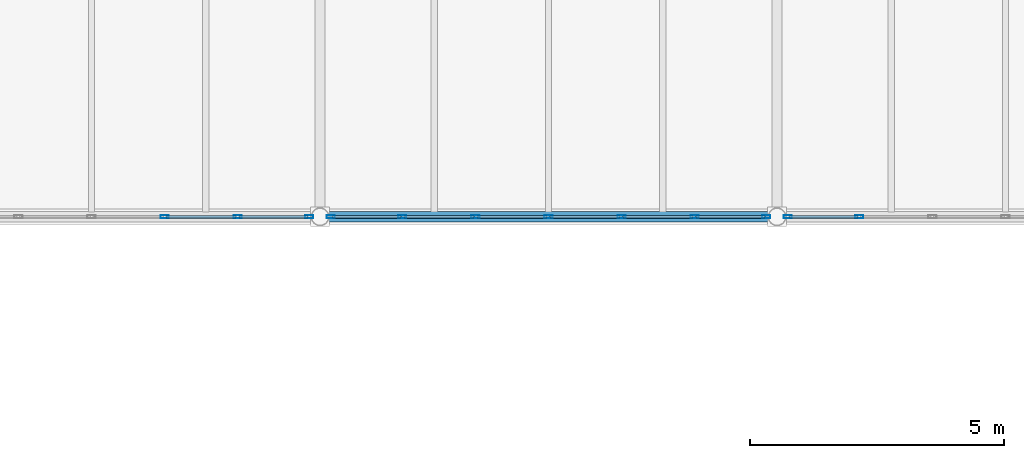
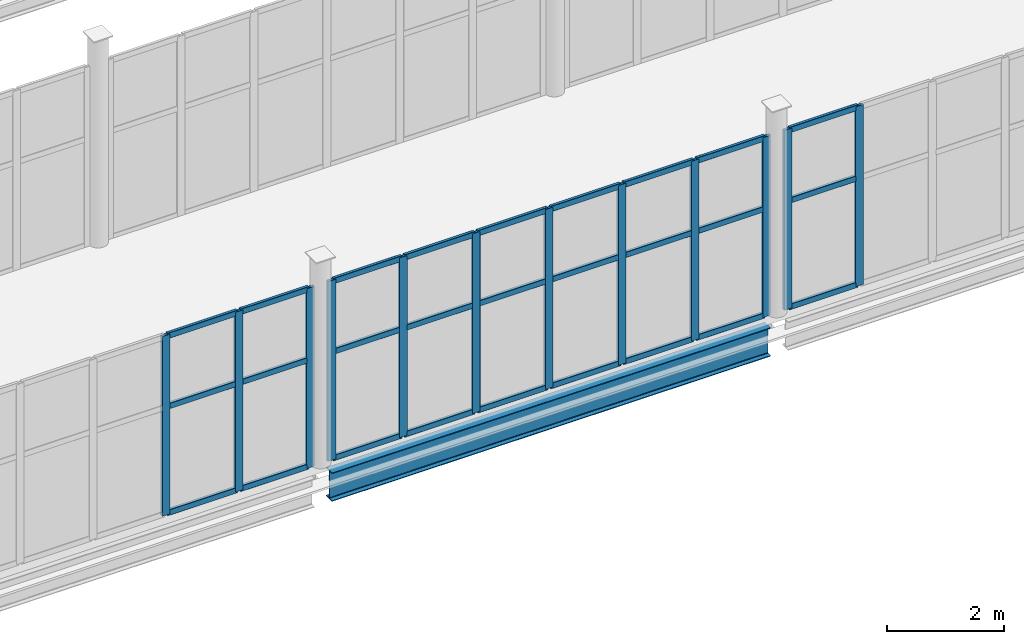
# One storey, part 101 of 172: 39 members, 1 beam, 3 elements without a shape of their own.
"""IFC4 building model written with IfcOpenShell, lengths in metres."""

from ifc_helpers import new_model, si_unit, direction, frame, origin, origin_2d, place, context, subcontext, project, spatial, hollow_rectangle, i_section, extrude, material, material_profile, profile_set, type_object, element, aggregate, save


model = new_model("IFC4")

# Units and contexts
model_context = context("Model", 3, precision=1e-05, world=origin(), true_north=direction((0.0, 1.0)))
body_context = subcontext(model_context, "Body", "Model", "MODEL_VIEW")
ifc_project = project(units=[si_unit("LENGTHUNIT", "METRE"), si_unit("AREAUNIT", "SQUARE_METRE"), si_unit("VOLUMEUNIT", "CUBIC_METRE"), si_unit("PLANEANGLEUNIT", "RADIAN"), si_unit("MASSUNIT", "GRAM", prefix="KILO")], contexts=[model_context])

# Site, building, storey
site_placement = place(None, origin())
site = spatial("IfcSite", under=ifc_project, at=site_placement, CompositionType="ELEMENT")
building_placement = place(site_placement, origin())
building = spatial("IfcBuilding", under=site, at=building_placement, Name="Shengluoqiao Park Theatre", CompositionType="ELEMENT")
storey_placement = place(building_placement, frame((0.0, 0.0, 5.39990234375)))
storey = spatial("IfcBuildingStorey", under=building, at=storey_placement, Name="L01", CompositionType="ELEMENT", Elevation=5.39990234375)

# Curtain wall, members
ifc_material_1 = material(Name="Aluminium 6063-T6", Category="aluminium")
curtain_wall_type = type_object("IfcCurtainWallType", Name="ENV-CW-BRIDGE", PredefinedType="NOTDEFINED", material=ifc_material_1)
curtain_wall_1_placement = place(storey_placement, origin())
curtain_wall_1 = element("IfcCurtainWall", 1, at=curtain_wall_1_placement, inside=storey, type_object=curtain_wall_type, Name="L01 Curtain Wall CWX-L01-0132", PredefinedType="NOTDEFINED")
ifc_material_profile_1 = material_profile(ifc_material_1, hollow_rectangle(XDim=0.06005859375, YDim=0.159912109375, WallThickness=0.00390625, InnerFilletRadius=0.00390625, OuterFilletRadius=0.008056640625, at=origin_2d()), Name="ALU MULLION 160x60x4")
ifc_profile_set_1 = profile_set([ifc_material_profile_1], Name="Aluminium 6063-T6")
member_type_1 = type_object("IfcMemberType", Name="ENV-MUL-160", PredefinedType="MULLION", material=ifc_profile_set_1)
member_1_placement = place(storey_placement, frame((127.33935546875, 53.199951171875, 0.0), z_axis=(0.0, 0.0, 1.0), x_axis=(0.0, 1.0, 0.0)))
member_1 = element("IfcMember", 2, at=member_1_placement, type_object=member_type_1, Name="CW-03 mullion 5", PredefinedType="MULLION", context=body_context, shape_type="SweptSolid", body=[
    extrude(hollow_rectangle(XDim=0.06005859375, YDim=0.159912109375, WallThickness=0.00390625, InnerFilletRadius=0.00390625, OuterFilletRadius=0.008056640625, at=origin_2d()), origin(), (0.0, 0.0, 1.0), 3.752197265625),
])
member_2_placement = place(storey_placement, frame((128.778564453125, 53.199951171875, 0.0), z_axis=(0.0, 0.0, 1.0), x_axis=(0.0, 1.0, 0.0)))
member_2 = element("IfcMember", 3, at=member_2_placement, type_object=member_type_1, Name="CW-03 mullion 6", PredefinedType="MULLION", context=body_context, shape_type="SweptSolid", body=[
    extrude(hollow_rectangle(XDim=0.06005859375, YDim=0.159912109375, WallThickness=0.00390625, InnerFilletRadius=0.00390625, OuterFilletRadius=0.008056640625, at=origin_2d()), origin(), (0.0, 0.0, 1.0), 3.752197265625),
])
member_3_placement = place(storey_placement, frame((130.18798828125, 53.199951171875, 0.0), z_axis=(0.0, 0.0, 1.0), x_axis=(0.0, 1.0, 0.0)))
member_3 = element("IfcMember", 4, at=member_3_placement, type_object=member_type_1, Name="CW-03 mullion 7", PredefinedType="MULLION", context=body_context, shape_type="SweptSolid", body=[
    extrude(hollow_rectangle(XDim=0.06005859375, YDim=0.159912109375, WallThickness=0.00390625, InnerFilletRadius=0.00390625, OuterFilletRadius=0.008056640625, at=origin_2d()), origin(), (0.0, 0.0, 1.0), 3.752197265625),
])

curtain_wall_2_placement = place(storey_placement, origin())
curtain_wall_2 = element("IfcCurtainWall", 5, at=curtain_wall_2_placement, inside=storey, type_object=curtain_wall_type, Name="L01 Curtain Wall CWX-L01-0133", PredefinedType="NOTDEFINED")
member_4_placement = place(storey_placement, frame((130.612060546875, 53.199951171875, 0.0), z_axis=(0.0, 0.0, 1.0), x_axis=(0.0, 1.0, 0.0)))
member_4 = element("IfcMember", 6, at=member_4_placement, type_object=member_type_1, Name="CW-03 mullion 1", PredefinedType="MULLION", context=body_context, shape_type="SweptSolid", body=[
    extrude(hollow_rectangle(XDim=0.06005859375, YDim=0.159912109375, WallThickness=0.00390625, InnerFilletRadius=0.00390625, OuterFilletRadius=0.008056640625, at=origin_2d()), origin(), (0.0, 0.0, 1.0), 3.752197265625),
])
member_5_placement = place(storey_placement, frame((132.021240234375, 53.199951171875, 0.0), z_axis=(0.0, 0.0, 1.0), x_axis=(0.0, 1.0, 0.0)))
member_5 = element("IfcMember", 7, at=member_5_placement, type_object=member_type_1, Name="CW-03 mullion 2", PredefinedType="MULLION", context=body_context, shape_type="SweptSolid", body=[
    extrude(hollow_rectangle(XDim=0.06005859375, YDim=0.159912109375, WallThickness=0.00390625, InnerFilletRadius=0.00390625, OuterFilletRadius=0.008056640625, at=origin_2d()), origin(), (0.0, 0.0, 1.0), 3.752197265625),
])
member_6_placement = place(storey_placement, frame((133.460693359375, 53.199951171875, 0.0), z_axis=(0.0, 0.0, 1.0), x_axis=(0.0, 1.0, 0.0)))
member_6 = element("IfcMember", 8, at=member_6_placement, type_object=member_type_1, Name="CW-03 mullion 3", PredefinedType="MULLION", context=body_context, shape_type="SweptSolid", body=[
    extrude(hollow_rectangle(XDim=0.06005859375, YDim=0.159912109375, WallThickness=0.00390625, InnerFilletRadius=0.00390625, OuterFilletRadius=0.008056640625, at=origin_2d()), origin(), (0.0, 0.0, 1.0), 3.752197265625),
])
member_7_placement = place(storey_placement, frame((134.89990234375, 53.199951171875, 0.0), z_axis=(0.0, 0.0, 1.0), x_axis=(0.0, 1.0, 0.0)))
member_7 = element("IfcMember", 9, at=member_7_placement, type_object=member_type_1, Name="CW-03 mullion 4", PredefinedType="MULLION", context=body_context, shape_type="SweptSolid", body=[
    extrude(hollow_rectangle(XDim=0.06005859375, YDim=0.159912109375, WallThickness=0.00390625, InnerFilletRadius=0.00390625, OuterFilletRadius=0.008056640625, at=origin_2d()), origin(), (0.0, 0.0, 1.0), 3.752197265625),
])
member_8_placement = place(storey_placement, frame((136.33935546875, 53.199951171875, 0.0), z_axis=(0.0, 0.0, 1.0), x_axis=(0.0, 1.0, 0.0)))
member_8 = element("IfcMember", 10, at=member_8_placement, type_object=member_type_1, Name="CW-03 mullion 5", PredefinedType="MULLION", context=body_context, shape_type="SweptSolid", body=[
    extrude(hollow_rectangle(XDim=0.06005859375, YDim=0.159912109375, WallThickness=0.00390625, InnerFilletRadius=0.00390625, OuterFilletRadius=0.008056640625, at=origin_2d()), origin(), (0.0, 0.0, 1.0), 3.752197265625),
])
member_9_placement = place(storey_placement, frame((137.778564453125, 53.199951171875, 0.0), z_axis=(0.0, 0.0, 1.0), x_axis=(0.0, 1.0, 0.0)))
member_9 = element("IfcMember", 11, at=member_9_placement, type_object=member_type_1, Name="CW-03 mullion 6", PredefinedType="MULLION", context=body_context, shape_type="SweptSolid", body=[
    extrude(hollow_rectangle(XDim=0.06005859375, YDim=0.159912109375, WallThickness=0.00390625, InnerFilletRadius=0.00390625, OuterFilletRadius=0.008056640625, at=origin_2d()), origin(), (0.0, 0.0, 1.0), 3.752197265625),
])
member_10_placement = place(storey_placement, frame((139.18798828125, 53.199951171875, 0.0), z_axis=(0.0, 0.0, 1.0), x_axis=(0.0, 1.0, 0.0)))
member_10 = element("IfcMember", 12, at=member_10_placement, type_object=member_type_1, Name="CW-03 mullion 7", PredefinedType="MULLION", context=body_context, shape_type="SweptSolid", body=[
    extrude(hollow_rectangle(XDim=0.06005859375, YDim=0.159912109375, WallThickness=0.00390625, InnerFilletRadius=0.00390625, OuterFilletRadius=0.008056640625, at=origin_2d()), origin(), (0.0, 0.0, 1.0), 3.752197265625),
])

curtain_wall_3_placement = place(storey_placement, origin())
curtain_wall_3 = element("IfcCurtainWall", 13, at=curtain_wall_3_placement, inside=storey, type_object=curtain_wall_type, Name="L01 Curtain Wall CWX-L01-0134", PredefinedType="NOTDEFINED")
member_11_placement = place(storey_placement, frame((139.612060546875, 53.199951171875, 0.0), z_axis=(0.0, 0.0, 1.0), x_axis=(0.0, 1.0, 0.0)))
member_11 = element("IfcMember", 14, at=member_11_placement, type_object=member_type_1, Name="CW-03 mullion 1", PredefinedType="MULLION", context=body_context, shape_type="SweptSolid", body=[
    extrude(hollow_rectangle(XDim=0.06005859375, YDim=0.159912109375, WallThickness=0.00390625, InnerFilletRadius=0.00390625, OuterFilletRadius=0.008056640625, at=origin_2d()), origin(), (0.0, 0.0, 1.0), 3.752197265625),
])
member_12_placement = place(storey_placement, frame((141.021240234375, 53.199951171875, 0.0), z_axis=(0.0, 0.0, 1.0), x_axis=(0.0, 1.0, 0.0)))
member_12 = element("IfcMember", 15, at=member_12_placement, type_object=member_type_1, Name="CW-03 mullion 2", PredefinedType="MULLION", context=body_context, shape_type="SweptSolid", body=[
    extrude(hollow_rectangle(XDim=0.06005859375, YDim=0.159912109375, WallThickness=0.00390625, InnerFilletRadius=0.00390625, OuterFilletRadius=0.008056640625, at=origin_2d()), origin(), (0.0, 0.0, 1.0), 3.752197265625),
])

# Member
ifc_material_profile_2 = material_profile(ifc_material_1, hollow_rectangle(XDim=0.06005859375, YDim=0.1201171875, WallThickness=0.00390625, InnerFilletRadius=0.00390625, OuterFilletRadius=0.008056640625, at=origin_2d()), Name="ALU TRANSOM 120x60x4")
ifc_profile_set_2 = profile_set([ifc_material_profile_2], Name="Aluminium 6063-T6")
member_type_2 = type_object("IfcMemberType", Name="ENV-TRN-120", PredefinedType="USERDEFINED", material=ifc_profile_set_2)
member_13_placement = place(storey_placement, frame((127.369384765625, 53.199951171875, 0.030029296875), z_axis=(1.0, 0.0, 0.0), x_axis=(0.0, 1.0, 0.0)))
member_13 = element("IfcMember", 16, at=member_13_placement, type_object=member_type_2, Name="CW-03 transom 5.1", ObjectType="TRANSOM", PredefinedType="USERDEFINED", context=body_context, shape_type="SweptSolid", body=[
    extrude(hollow_rectangle(XDim=0.06005859375, YDim=0.1201171875, WallThickness=0.00390625, InnerFilletRadius=0.00390625, OuterFilletRadius=0.008056640625, at=origin_2d()), origin(), (0.0, 0.0, 1.0), 1.37939453125),
])

member_14_placement = place(storey_placement, frame((127.369384765625, 53.199951171875, 2.2509765625), z_axis=(1.0, 0.0, 0.0), x_axis=(0.0, 1.0, 0.0)))
member_14 = element("IfcMember", 17, at=member_14_placement, type_object=member_type_2, Name="CW-03 transom 5.2", ObjectType="TRANSOM", PredefinedType="USERDEFINED", context=body_context, shape_type="SweptSolid", body=[
    extrude(hollow_rectangle(XDim=0.06005859375, YDim=0.1201171875, WallThickness=0.00390625, InnerFilletRadius=0.00390625, OuterFilletRadius=0.008056640625, at=origin_2d()), origin(), (0.0, 0.0, 1.0), 1.37939453125),
])

member_15_placement = place(storey_placement, frame((127.369384765625, 53.199951171875, 3.72216796875), z_axis=(1.0, 0.0, 0.0), x_axis=(0.0, 1.0, 0.0)))
member_15 = element("IfcMember", 18, at=member_15_placement, type_object=member_type_2, Name="CW-03 transom 5.3", ObjectType="TRANSOM", PredefinedType="USERDEFINED", context=body_context, shape_type="SweptSolid", body=[
    extrude(hollow_rectangle(XDim=0.06005859375, YDim=0.1201171875, WallThickness=0.00390625, InnerFilletRadius=0.00390625, OuterFilletRadius=0.008056640625, at=origin_2d()), origin(), (0.0, 0.0, 1.0), 1.37939453125),
])

member_16_placement = place(storey_placement, frame((128.80859375, 53.199951171875, 0.030029296875), z_axis=(1.0, 0.0, 0.0), x_axis=(0.0, 1.0, 0.0)))
member_16 = element("IfcMember", 19, at=member_16_placement, type_object=member_type_2, Name="CW-03 transom 6.1", ObjectType="TRANSOM", PredefinedType="USERDEFINED", context=body_context, shape_type="SweptSolid", body=[
    extrude(hollow_rectangle(XDim=0.06005859375, YDim=0.1201171875, WallThickness=0.00390625, InnerFilletRadius=0.00390625, OuterFilletRadius=0.008056640625, at=origin_2d()), origin(), (0.0, 0.0, 1.0), 1.349365234375),
])

member_17_placement = place(storey_placement, frame((128.80859375, 53.199951171875, 2.2509765625), z_axis=(1.0, 0.0, 0.0), x_axis=(0.0, 1.0, 0.0)))
member_17 = element("IfcMember", 20, at=member_17_placement, type_object=member_type_2, Name="CW-03 transom 6.2", ObjectType="TRANSOM", PredefinedType="USERDEFINED", context=body_context, shape_type="SweptSolid", body=[
    extrude(hollow_rectangle(XDim=0.06005859375, YDim=0.1201171875, WallThickness=0.00390625, InnerFilletRadius=0.00390625, OuterFilletRadius=0.008056640625, at=origin_2d()), origin(), (0.0, 0.0, 1.0), 1.349365234375),
])

member_18_placement = place(storey_placement, frame((128.80859375, 53.199951171875, 3.72216796875), z_axis=(1.0, 0.0, 0.0), x_axis=(0.0, 1.0, 0.0)))
member_18 = element("IfcMember", 21, at=member_18_placement, type_object=member_type_2, Name="CW-03 transom 6.3", ObjectType="TRANSOM", PredefinedType="USERDEFINED", context=body_context, shape_type="SweptSolid", body=[
    extrude(hollow_rectangle(XDim=0.06005859375, YDim=0.1201171875, WallThickness=0.00390625, InnerFilletRadius=0.00390625, OuterFilletRadius=0.008056640625, at=origin_2d()), origin(), (0.0, 0.0, 1.0), 1.349365234375),
])

aggregate(curtain_wall_1, [member_1, member_2, member_3, member_13, member_14, member_15, member_16, member_17, member_18])

member_19_placement = place(storey_placement, frame((130.64208984375, 53.199951171875, 0.030029296875), z_axis=(1.0, 0.0, 0.0), x_axis=(0.0, 1.0, 0.0)))
member_19 = element("IfcMember", 22, at=member_19_placement, type_object=member_type_2, Name="CW-03 transom 1.1", ObjectType="TRANSOM", PredefinedType="USERDEFINED", context=body_context, shape_type="SweptSolid", body=[
    extrude(hollow_rectangle(XDim=0.06005859375, YDim=0.1201171875, WallThickness=0.00390625, InnerFilletRadius=0.00390625, OuterFilletRadius=0.008056640625, at=origin_2d()), origin(), (0.0, 0.0, 1.0), 1.349365234375),
])

member_20_placement = place(storey_placement, frame((130.64208984375, 53.199951171875, 2.2509765625), z_axis=(1.0, 0.0, 0.0), x_axis=(0.0, 1.0, 0.0)))
member_20 = element("IfcMember", 23, at=member_20_placement, type_object=member_type_2, Name="CW-03 transom 1.2", ObjectType="TRANSOM", PredefinedType="USERDEFINED", context=body_context, shape_type="SweptSolid", body=[
    extrude(hollow_rectangle(XDim=0.06005859375, YDim=0.1201171875, WallThickness=0.00390625, InnerFilletRadius=0.00390625, OuterFilletRadius=0.008056640625, at=origin_2d()), origin(), (0.0, 0.0, 1.0), 1.349365234375),
])

member_21_placement = place(storey_placement, frame((130.64208984375, 53.199951171875, 3.72216796875), z_axis=(1.0, 0.0, 0.0), x_axis=(0.0, 1.0, 0.0)))
member_21 = element("IfcMember", 24, at=member_21_placement, type_object=member_type_2, Name="CW-03 transom 1.3", ObjectType="TRANSOM", PredefinedType="USERDEFINED", context=body_context, shape_type="SweptSolid", body=[
    extrude(hollow_rectangle(XDim=0.06005859375, YDim=0.1201171875, WallThickness=0.00390625, InnerFilletRadius=0.00390625, OuterFilletRadius=0.008056640625, at=origin_2d()), origin(), (0.0, 0.0, 1.0), 1.349365234375),
])

member_22_placement = place(storey_placement, frame((132.05126953125, 53.199951171875, 0.030029296875), z_axis=(1.0, 0.0, 0.0), x_axis=(0.0, 1.0, 0.0)))
member_22 = element("IfcMember", 25, at=member_22_placement, type_object=member_type_2, Name="CW-03 transom 2.1", ObjectType="TRANSOM", PredefinedType="USERDEFINED", context=body_context, shape_type="SweptSolid", body=[
    extrude(hollow_rectangle(XDim=0.06005859375, YDim=0.1201171875, WallThickness=0.00390625, InnerFilletRadius=0.00390625, OuterFilletRadius=0.008056640625, at=origin_2d()), origin(), (0.0, 0.0, 1.0), 1.37939453125),
])

member_23_placement = place(storey_placement, frame((132.05126953125, 53.199951171875, 2.2509765625), z_axis=(1.0, 0.0, 0.0), x_axis=(0.0, 1.0, 0.0)))
member_23 = element("IfcMember", 26, at=member_23_placement, type_object=member_type_2, Name="CW-03 transom 2.2", ObjectType="TRANSOM", PredefinedType="USERDEFINED", context=body_context, shape_type="SweptSolid", body=[
    extrude(hollow_rectangle(XDim=0.06005859375, YDim=0.1201171875, WallThickness=0.00390625, InnerFilletRadius=0.00390625, OuterFilletRadius=0.008056640625, at=origin_2d()), origin(), (0.0, 0.0, 1.0), 1.37939453125),
])

member_24_placement = place(storey_placement, frame((132.05126953125, 53.199951171875, 3.72216796875), z_axis=(1.0, 0.0, 0.0), x_axis=(0.0, 1.0, 0.0)))
member_24 = element("IfcMember", 27, at=member_24_placement, type_object=member_type_2, Name="CW-03 transom 2.3", ObjectType="TRANSOM", PredefinedType="USERDEFINED", context=body_context, shape_type="SweptSolid", body=[
    extrude(hollow_rectangle(XDim=0.06005859375, YDim=0.1201171875, WallThickness=0.00390625, InnerFilletRadius=0.00390625, OuterFilletRadius=0.008056640625, at=origin_2d()), origin(), (0.0, 0.0, 1.0), 1.37939453125),
])

member_25_placement = place(storey_placement, frame((133.49072265625, 53.199951171875, 0.030029296875), z_axis=(1.0, 0.0, 0.0), x_axis=(0.0, 1.0, 0.0)))
member_25 = element("IfcMember", 28, at=member_25_placement, type_object=member_type_2, Name="CW-03 transom 3.1", ObjectType="TRANSOM", PredefinedType="USERDEFINED", context=body_context, shape_type="SweptSolid", body=[
    extrude(hollow_rectangle(XDim=0.06005859375, YDim=0.1201171875, WallThickness=0.00390625, InnerFilletRadius=0.00390625, OuterFilletRadius=0.008056640625, at=origin_2d()), origin(), (0.0, 0.0, 1.0), 1.37939453125),
])

member_26_placement = place(storey_placement, frame((133.49072265625, 53.199951171875, 2.2509765625), z_axis=(1.0, 0.0, 0.0), x_axis=(0.0, 1.0, 0.0)))
member_26 = element("IfcMember", 29, at=member_26_placement, type_object=member_type_2, Name="CW-03 transom 3.2", ObjectType="TRANSOM", PredefinedType="USERDEFINED", context=body_context, shape_type="SweptSolid", body=[
    extrude(hollow_rectangle(XDim=0.06005859375, YDim=0.1201171875, WallThickness=0.00390625, InnerFilletRadius=0.00390625, OuterFilletRadius=0.008056640625, at=origin_2d()), origin(), (0.0, 0.0, 1.0), 1.37939453125),
])

member_27_placement = place(storey_placement, frame((133.49072265625, 53.199951171875, 3.72216796875), z_axis=(1.0, 0.0, 0.0), x_axis=(0.0, 1.0, 0.0)))
member_27 = element("IfcMember", 30, at=member_27_placement, type_object=member_type_2, Name="CW-03 transom 3.3", ObjectType="TRANSOM", PredefinedType="USERDEFINED", context=body_context, shape_type="SweptSolid", body=[
    extrude(hollow_rectangle(XDim=0.06005859375, YDim=0.1201171875, WallThickness=0.00390625, InnerFilletRadius=0.00390625, OuterFilletRadius=0.008056640625, at=origin_2d()), origin(), (0.0, 0.0, 1.0), 1.37939453125),
])

member_28_placement = place(storey_placement, frame((134.929931640625, 53.199951171875, 0.030029296875), z_axis=(1.0, 0.0, 0.0), x_axis=(0.0, 1.0, 0.0)))
member_28 = element("IfcMember", 31, at=member_28_placement, type_object=member_type_2, Name="CW-03 transom 4.1", ObjectType="TRANSOM", PredefinedType="USERDEFINED", context=body_context, shape_type="SweptSolid", body=[
    extrude(hollow_rectangle(XDim=0.06005859375, YDim=0.1201171875, WallThickness=0.00390625, InnerFilletRadius=0.00390625, OuterFilletRadius=0.008056640625, at=origin_2d()), origin(), (0.0, 0.0, 1.0), 1.37939453125),
])

member_29_placement = place(storey_placement, frame((134.929931640625, 53.199951171875, 2.2509765625), z_axis=(1.0, 0.0, 0.0), x_axis=(0.0, 1.0, 0.0)))
member_29 = element("IfcMember", 32, at=member_29_placement, type_object=member_type_2, Name="CW-03 transom 4.2", ObjectType="TRANSOM", PredefinedType="USERDEFINED", context=body_context, shape_type="SweptSolid", body=[
    extrude(hollow_rectangle(XDim=0.06005859375, YDim=0.1201171875, WallThickness=0.00390625, InnerFilletRadius=0.00390625, OuterFilletRadius=0.008056640625, at=origin_2d()), origin(), (0.0, 0.0, 1.0), 1.37939453125),
])

member_30_placement = place(storey_placement, frame((134.929931640625, 53.199951171875, 3.72216796875), z_axis=(1.0, 0.0, 0.0), x_axis=(0.0, 1.0, 0.0)))
member_30 = element("IfcMember", 33, at=member_30_placement, type_object=member_type_2, Name="CW-03 transom 4.3", ObjectType="TRANSOM", PredefinedType="USERDEFINED", context=body_context, shape_type="SweptSolid", body=[
    extrude(hollow_rectangle(XDim=0.06005859375, YDim=0.1201171875, WallThickness=0.00390625, InnerFilletRadius=0.00390625, OuterFilletRadius=0.008056640625, at=origin_2d()), origin(), (0.0, 0.0, 1.0), 1.37939453125),
])

member_31_placement = place(storey_placement, frame((136.369384765625, 53.199951171875, 0.030029296875), z_axis=(1.0, 0.0, 0.0), x_axis=(0.0, 1.0, 0.0)))
member_31 = element("IfcMember", 34, at=member_31_placement, type_object=member_type_2, Name="CW-03 transom 5.1", ObjectType="TRANSOM", PredefinedType="USERDEFINED", context=body_context, shape_type="SweptSolid", body=[
    extrude(hollow_rectangle(XDim=0.06005859375, YDim=0.1201171875, WallThickness=0.00390625, InnerFilletRadius=0.00390625, OuterFilletRadius=0.008056640625, at=origin_2d()), origin(), (0.0, 0.0, 1.0), 1.37939453125),
])

member_32_placement = place(storey_placement, frame((136.369384765625, 53.199951171875, 2.2509765625), z_axis=(1.0, 0.0, 0.0), x_axis=(0.0, 1.0, 0.0)))
member_32 = element("IfcMember", 35, at=member_32_placement, type_object=member_type_2, Name="CW-03 transom 5.2", ObjectType="TRANSOM", PredefinedType="USERDEFINED", context=body_context, shape_type="SweptSolid", body=[
    extrude(hollow_rectangle(XDim=0.06005859375, YDim=0.1201171875, WallThickness=0.00390625, InnerFilletRadius=0.00390625, OuterFilletRadius=0.008056640625, at=origin_2d()), origin(), (0.0, 0.0, 1.0), 1.37939453125),
])

member_33_placement = place(storey_placement, frame((136.369384765625, 53.199951171875, 3.72216796875), z_axis=(1.0, 0.0, 0.0), x_axis=(0.0, 1.0, 0.0)))
member_33 = element("IfcMember", 36, at=member_33_placement, type_object=member_type_2, Name="CW-03 transom 5.3", ObjectType="TRANSOM", PredefinedType="USERDEFINED", context=body_context, shape_type="SweptSolid", body=[
    extrude(hollow_rectangle(XDim=0.06005859375, YDim=0.1201171875, WallThickness=0.00390625, InnerFilletRadius=0.00390625, OuterFilletRadius=0.008056640625, at=origin_2d()), origin(), (0.0, 0.0, 1.0), 1.37939453125),
])

member_34_placement = place(storey_placement, frame((137.80859375, 53.199951171875, 0.030029296875), z_axis=(1.0, 0.0, 0.0), x_axis=(0.0, 1.0, 0.0)))
member_34 = element("IfcMember", 37, at=member_34_placement, type_object=member_type_2, Name="CW-03 transom 6.1", ObjectType="TRANSOM", PredefinedType="USERDEFINED", context=body_context, shape_type="SweptSolid", body=[
    extrude(hollow_rectangle(XDim=0.06005859375, YDim=0.1201171875, WallThickness=0.00390625, InnerFilletRadius=0.00390625, OuterFilletRadius=0.008056640625, at=origin_2d()), origin(), (0.0, 0.0, 1.0), 1.349365234375),
])

member_35_placement = place(storey_placement, frame((137.80859375, 53.199951171875, 2.2509765625), z_axis=(1.0, 0.0, 0.0), x_axis=(0.0, 1.0, 0.0)))
member_35 = element("IfcMember", 38, at=member_35_placement, type_object=member_type_2, Name="CW-03 transom 6.2", ObjectType="TRANSOM", PredefinedType="USERDEFINED", context=body_context, shape_type="SweptSolid", body=[
    extrude(hollow_rectangle(XDim=0.06005859375, YDim=0.1201171875, WallThickness=0.00390625, InnerFilletRadius=0.00390625, OuterFilletRadius=0.008056640625, at=origin_2d()), origin(), (0.0, 0.0, 1.0), 1.349365234375),
])

member_36_placement = place(storey_placement, frame((137.80859375, 53.199951171875, 3.72216796875), z_axis=(1.0, 0.0, 0.0), x_axis=(0.0, 1.0, 0.0)))
member_36 = element("IfcMember", 39, at=member_36_placement, type_object=member_type_2, Name="CW-03 transom 6.3", ObjectType="TRANSOM", PredefinedType="USERDEFINED", context=body_context, shape_type="SweptSolid", body=[
    extrude(hollow_rectangle(XDim=0.06005859375, YDim=0.1201171875, WallThickness=0.00390625, InnerFilletRadius=0.00390625, OuterFilletRadius=0.008056640625, at=origin_2d()), origin(), (0.0, 0.0, 1.0), 1.349365234375),
])

aggregate(curtain_wall_2, [member_4, member_5, member_6, member_7, member_8, member_9, member_10, member_19, member_20, member_21, member_22, member_23, member_24, member_25, member_26, member_27, member_28, member_29, member_30, member_31, member_32, member_33, member_34, member_35, member_36])

member_37_placement = place(storey_placement, frame((139.64208984375, 53.199951171875, 0.030029296875), z_axis=(1.0, 0.0, 0.0), x_axis=(0.0, 1.0, 0.0)))
member_37 = element("IfcMember", 40, at=member_37_placement, type_object=member_type_2, Name="CW-03 transom 1.1", ObjectType="TRANSOM", PredefinedType="USERDEFINED", context=body_context, shape_type="SweptSolid", body=[
    extrude(hollow_rectangle(XDim=0.06005859375, YDim=0.1201171875, WallThickness=0.00390625, InnerFilletRadius=0.00390625, OuterFilletRadius=0.008056640625, at=origin_2d()), origin(), (0.0, 0.0, 1.0), 1.349365234375),
])

member_38_placement = place(storey_placement, frame((139.64208984375, 53.199951171875, 2.2509765625), z_axis=(1.0, 0.0, 0.0), x_axis=(0.0, 1.0, 0.0)))
member_38 = element("IfcMember", 41, at=member_38_placement, type_object=member_type_2, Name="CW-03 transom 1.2", ObjectType="TRANSOM", PredefinedType="USERDEFINED", context=body_context, shape_type="SweptSolid", body=[
    extrude(hollow_rectangle(XDim=0.06005859375, YDim=0.1201171875, WallThickness=0.00390625, InnerFilletRadius=0.00390625, OuterFilletRadius=0.008056640625, at=origin_2d()), origin(), (0.0, 0.0, 1.0), 1.349365234375),
])

member_39_placement = place(storey_placement, frame((139.64208984375, 53.199951171875, 3.72216796875), z_axis=(1.0, 0.0, 0.0), x_axis=(0.0, 1.0, 0.0)))
member_39 = element("IfcMember", 42, at=member_39_placement, type_object=member_type_2, Name="CW-03 transom 1.3", ObjectType="TRANSOM", PredefinedType="USERDEFINED", context=body_context, shape_type="SweptSolid", body=[
    extrude(hollow_rectangle(XDim=0.06005859375, YDim=0.1201171875, WallThickness=0.00390625, InnerFilletRadius=0.00390625, OuterFilletRadius=0.008056640625, at=origin_2d()), origin(), (0.0, 0.0, 1.0), 1.349365234375),
])

aggregate(curtain_wall_3, [member_11, member_12, member_37, member_38, member_39])

# Beam
ifc_material_2 = material(Name="Steel Q355", Category="steel")
ifc_material_profile_3 = material_profile(ifc_material_2, i_section(OverallWidth=0.198974609375, OverallDepth=0.595947265625, WebThickness=0.010009765625, FlangeThickness=0.014892578125, FilletRadius=0.02001953125, at=origin_2d()), Name="HN 596x199x10x15")
ifc_profile_set_3 = profile_set([ifc_material_profile_3], Name="Steel Q355")
beam_type = type_object("IfcBeamType", Name="STR-BM-SP-HN596", PredefinedType="SPANDREL", material=ifc_profile_set_3)
beam_placement = place(storey_placement, frame((130.572021484375, 53.199951171875, -0.5078125), z_axis=(1.0, 0.0, 0.0), x_axis=(0.0, 1.0, 0.0)))
element("IfcBeam", 43, at=beam_placement, inside=storey, type_object=beam_type, Name="L01 Primary Girder 00571", PredefinedType="SPANDREL", context=body_context, shape_type="SweptSolid", body=[
    extrude(i_section(OverallWidth=0.198974609375, OverallDepth=0.595947265625, WebThickness=0.010009765625, FlangeThickness=0.014892578125, FilletRadius=0.02001953125, at=origin_2d()), origin(), (0.0, 0.0, 1.0), 8.656005859375),
])

save(model, "model.ifc")
